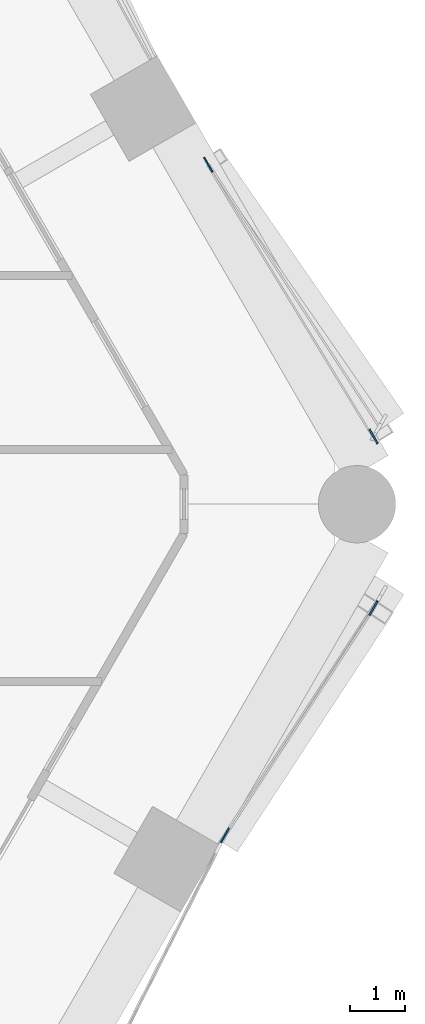
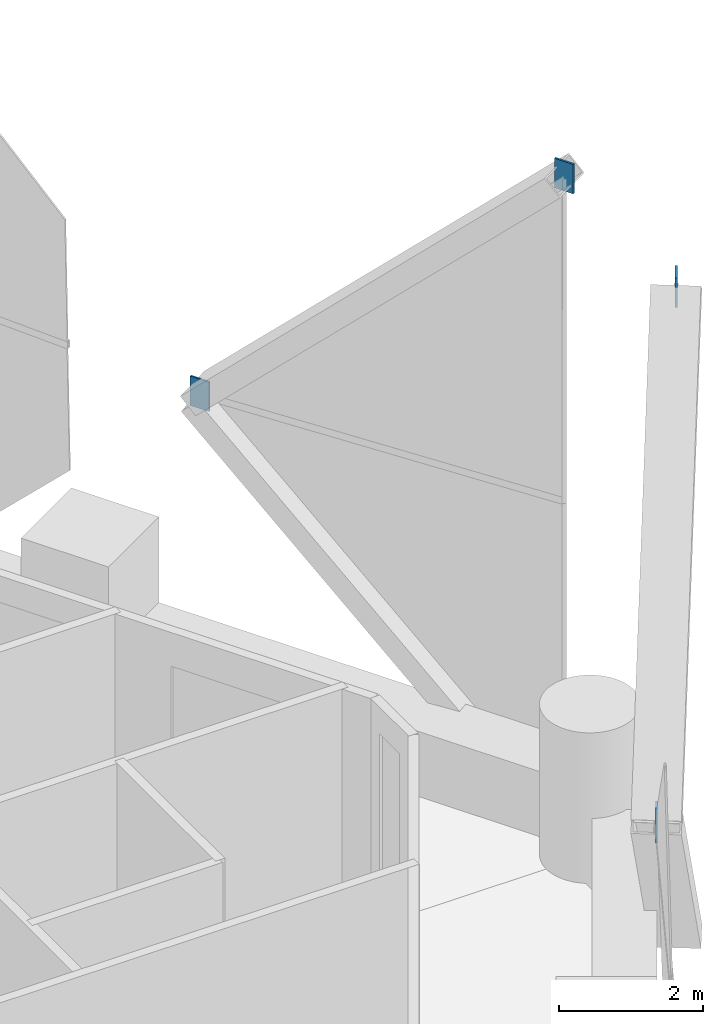
# One storey, part 15 of 16: 4 discrete accessories.
"""IFC4 building model written with IfcOpenShell, lengths in metres."""

from ifc_helpers import new_model, si_unit, direction, frame, origin, origin_2d, place, context, subcontext, project, spatial, rectangle, extrude, material, layer, layer_set, type_object, element, save


model = new_model("IFC4")

# Units and contexts
model_context = context("Model", 3, precision=1e-05, world=origin(), true_north=direction((0.0, 1.0)))
body_context = subcontext(model_context, "Body", "Model", "MODEL_VIEW")
ifc_project = project(units=[si_unit("LENGTHUNIT", "METRE"), si_unit("AREAUNIT", "SQUARE_METRE"), si_unit("VOLUMEUNIT", "CUBIC_METRE"), si_unit("PLANEANGLEUNIT", "RADIAN"), si_unit("MASSUNIT", "GRAM", prefix="KILO")], contexts=[model_context])

# Site, building, storey
site_placement = place(None, origin())
site = spatial("IfcSite", under=ifc_project, at=site_placement, CompositionType="ELEMENT")
building_placement = place(site_placement, origin())
building = spatial("IfcBuilding", under=site, at=building_placement, Name="Ostrander Bayou Hotel Tower", CompositionType="ELEMENT")
storey_placement = place(building_placement, frame((0.0, 0.0, 58.0)))
storey = spatial("IfcBuildingStorey", under=building, at=storey_placement, Name="L14", CompositionType="ELEMENT", Elevation=58.0)

# Discrete accessories
ifc_material = material(Name="Steel ASTM A572 Gr 50", Category="steel")
ifc_layer = layer(ifc_material, 0.030029296875)
ifc_layer_set = layer_set([ifc_layer], Name="GP1 gusset plate 30 mm")
discrete_accessory_type = type_object("IfcDiscreteAccessoryType", Name="GP1 gusset plate 30 mm", PredefinedType="BRACKET", material=ifc_layer_set)
for number, where, z_axis, x_axis, name in (
    (1, (21.42626953125, -6.484619140625, 4.77490234375), (0.0, 0.0, 1.0), (0.5, 0.866025403784, 0.0), "GP1 gusset plate lat 120"),
    (2, (24.1162109375, -2.369873046875, 10.39990234375), (0.0, 0.0, 1.0), (0.5, 0.866025403784, 0.0), "GP1 gusset plate lat 121"),
    (3, (21.12353515625, 5.655029296875, 4.77490234375), (0.0, 0.0, 1.0), (-0.5, 0.866025403784, 0.0), "GP1 gusset plate lat 122"),
    (4, (24.1162109375, 0.7333984375, 10.39990234375), (0.0, 0.0, 1.0), (-0.5, 0.866025403784, 0.0), "GP1 gusset plate lat 123"),
):
    element("IfcDiscreteAccessory", number, at=place(storey_placement, frame(where, z_axis=z_axis, x_axis=x_axis)), inside=storey, type_object=discrete_accessory_type, Name=name, PredefinedType="BRACKET", context=body_context, shape_type="SweptSolid", body=[
        extrude(rectangle(XDim=0.300048828125, YDim=0.030029296875, at=origin_2d()), origin(), (0.0, 0.0, 1.0), 0.5),
    ])

save(model, "model.ifc")
